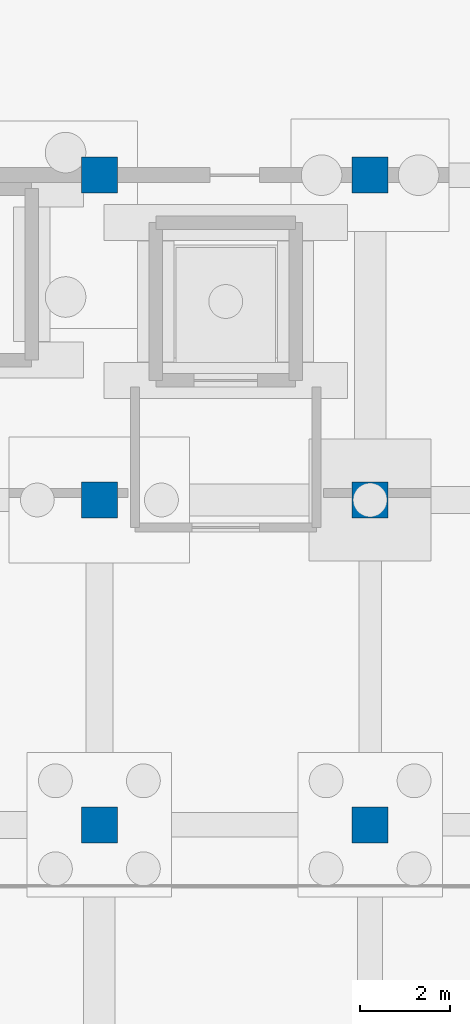
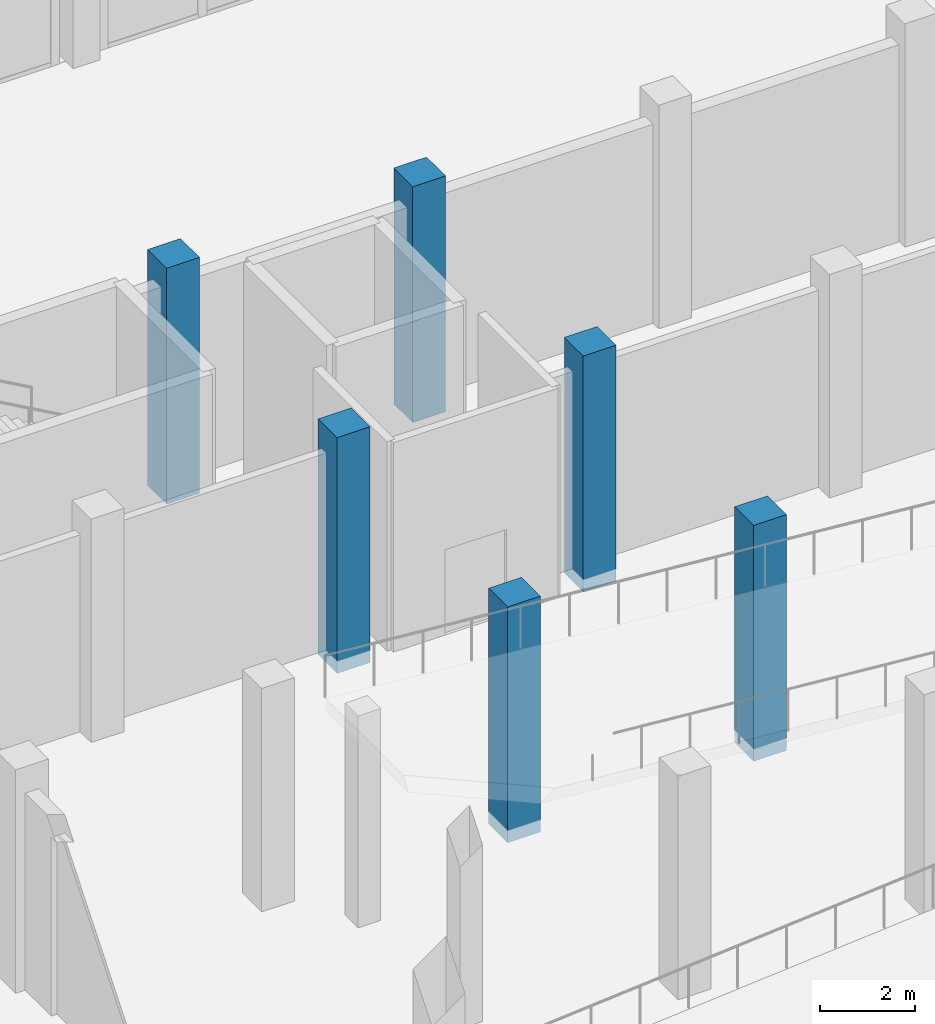
# One storey, part 21 of 103: 6 columns.
"""IFC4 building model written with IfcOpenShell, lengths in metres."""

from ifc_helpers import new_model, si_unit, direction, frame, origin, origin_2d, place, context, subcontext, project, spatial, rectangle, extrude, material, material_profile, profile_set, type_object, element, save


model = new_model("IFC4")

# Units and contexts
model_context = context("Model", 3, precision=1e-05, world=origin(), true_north=direction((0.0, 1.0)))
body_context = subcontext(model_context, "Body", "Model", "MODEL_VIEW")
ifc_project = project(units=[si_unit("LENGTHUNIT", "METRE"), si_unit("AREAUNIT", "SQUARE_METRE"), si_unit("VOLUMEUNIT", "CUBIC_METRE"), si_unit("PLANEANGLEUNIT", "RADIAN"), si_unit("MASSUNIT", "GRAM", prefix="KILO")], contexts=[model_context])

# Site, building, storey
site_placement = place(None, origin())
site = spatial("IfcSite", under=ifc_project, at=site_placement, CompositionType="ELEMENT")
building_placement = place(site_placement, origin())
building = spatial("IfcBuilding", under=site, at=building_placement, Name="Dunvalen Ferry Terminal", CompositionType="ELEMENT")
storey_placement = place(building_placement, origin())
storey = spatial("IfcBuildingStorey", under=building, at=storey_placement, Name="L00", CompositionType="ELEMENT", Elevation=0.0)

# Columns
ifc_material = material(Name="Concrete C40/50", Category="concrete")
ifc_material_profile = material_profile(ifc_material, rectangle(XDim=0.800048828125, YDim=0.800048828125, at=origin_2d()), Name="Concrete C40/50")
ifc_profile_set = profile_set([ifc_material_profile], Name="Concrete C40/50")
column_type = type_object("IfcColumnType", Name="STR-COL-RC800", PredefinedType="COLUMN", material=ifc_profile_set)
for number, where, z_axis, x_axis, name in (
    (1, (120.0, 28.800048828125, -0.320068359375), (0.0, 0.0, 1.0), (1.0, 0.0, 0.0), "L00 Vehicle Marshalling Column 18"),
    (2, (120.0, 36.0, -0.320068359375), (0.0, 0.0, 1.0), (1.0, 0.0, 0.0), "L00 Vehicle Marshalling Column 19"),
    (3, (120.0, 43.199951171875, -0.320068359375), (0.0, 0.0, 1.0), (1.0, 0.0, 0.0), "L00 Vehicle Marshalling Column 20"),
    (4, (126.0, 28.800048828125, -0.320068359375), (0.0, 0.0, 1.0), (1.0, 0.0, 0.0), "L00 Vehicle Marshalling Column 25"),
    (5, (126.0, 36.0, -0.320068359375), (0.0, 0.0, 1.0), (1.0, 0.0, 0.0), "L00 Vehicle Marshalling Column 26"),
    (6, (126.0, 43.199951171875, -0.320068359375), (0.0, 0.0, 1.0), (1.0, 0.0, 0.0), "L00 Vehicle Marshalling Column 27"),
):
    element("IfcColumn", number, at=place(storey_placement, frame(where, z_axis=z_axis, x_axis=x_axis)), inside=storey, type_object=column_type, Name=name, PredefinedType="COLUMN", context=body_context, shape_type="SweptSolid", body=[
        extrude(rectangle(XDim=0.800048828125, YDim=0.800048828125, at=origin_2d()), origin(), (0.0, 0.0, 1.0), 6.080078125),
    ])

save(model, "model.ifc")
